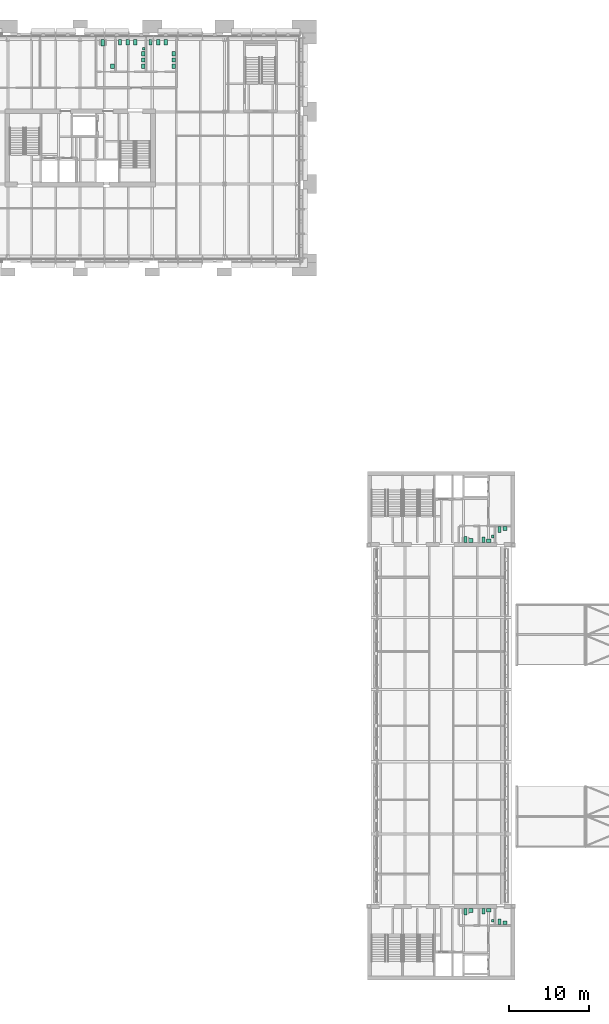
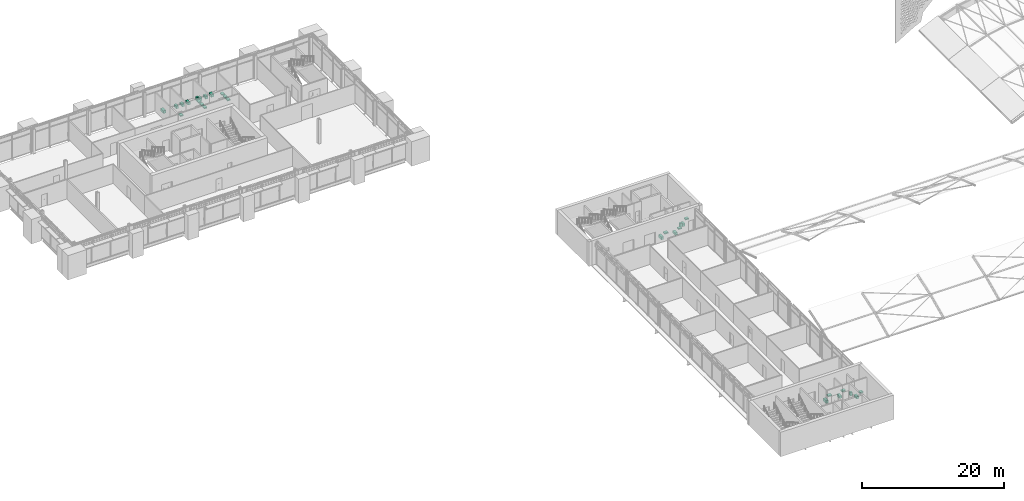
# One storey, part 54 of 54: 29 sanitary terminals.
"""IFC4 building model written with IfcOpenShell, lengths in metres."""

from ifc_helpers import new_model, si_unit, direction, frame, origin, origin_2d, place, context, subcontext, project, spatial, rectangle, extrude, material, type_object, element, save


model = new_model("IFC4")

# Units and contexts
model_context = context("Model", 3, precision=1e-05, world=origin(), true_north=direction((0.0, 1.0)))
body_context = subcontext(model_context, "Body", "Model", "MODEL_VIEW")
ifc_project = project(units=[si_unit("LENGTHUNIT", "METRE"), si_unit("AREAUNIT", "SQUARE_METRE"), si_unit("VOLUMEUNIT", "CUBIC_METRE"), si_unit("PLANEANGLEUNIT", "RADIAN"), si_unit("MASSUNIT", "GRAM", prefix="KILO")], contexts=[model_context])

# Site, building, storey
site_placement = place(None, origin())
site = spatial("IfcSite", under=ifc_project, at=site_placement, CompositionType="ELEMENT")
building_placement = place(site_placement, origin())
building = spatial("IfcBuilding", under=site, at=building_placement, Name="Baradari Gate Terminus", CompositionType="ELEMENT")
storey_placement = place(building_placement, frame((0.0, 0.0, 15.89990234375)))
storey = spatial("IfcBuildingStorey", under=building, at=storey_placement, Name="L03", CompositionType="ELEMENT", Elevation=15.89990234375)

# Sanitary terminals
ifc_material_1 = material(Name="Vitreous china", Category="ceramic")
sanitary_terminal_type_1 = type_object("IfcSanitaryTerminalType", Name="Accessible WC pan SW-5", PredefinedType="TOILETPAN", material=ifc_material_1)
for number, where, z_axis, x_axis, name in (
    (1, (38.83740234375, 143.60009765625, 0.0), (0.0, 0.0, 1.0), (1.0, 0.0, 0.0), "Accessible WC pan Accessible WC"),
    (2, (84.050048828125, 81.699951171875, 0.0), (0.0, 0.0, 1.0), (1.0, 0.0, 0.0), "Accessible WC pan Accessible WC"),
    (3, (84.050048828125, 35.300048828125, 0.0), (0.0, 0.0, 1.0), (1.0, 0.0, 0.0), "Accessible WC pan Accessible WC"),
):
    element("IfcSanitaryTerminal", number, at=place(storey_placement, frame(where, z_axis=z_axis, x_axis=x_axis)), inside=storey, type_object=sanitary_terminal_type_1, Name=name, PredefinedType="TOILETPAN", context=body_context, shape_type="SweptSolid", body=[
        extrude(rectangle(XDim=0.39990234375, YDim=0.800048828125, at=origin_2d()), origin(), (0.0, 0.0, 1.0), 0.47998046875),
    ])
ifc_material_2 = material(Name="Vitreous china", Category="ceramic")
sanitary_terminal_type_2 = type_object("IfcSanitaryTerminalType", Name="Accessible wash basin SW-6", PredefinedType="WASHHANDBASIN", material=ifc_material_2)
sanitary_terminal_placement = place(storey_placement, frame((40.0625, 140.6875, 0.75), z_axis=(0.0, 0.0, 1.0), x_axis=(1.0, 0.0, 0.0)))
element("IfcSanitaryTerminal", 4, at=sanitary_terminal_placement, inside=storey, type_object=sanitary_terminal_type_2, Name="Accessible wash basin Accessible WC", PredefinedType="WASHHANDBASIN", context=body_context, shape_type="SweptSolid", body=[
    extrude(rectangle(XDim=0.5, YDim=0.60009765625, at=origin_2d()), origin(), (0.0, 0.0, 1.0), 0.199951171875),
])
for number, where, z_axis, x_axis, name in (
    (5, (84.699951171875, 81.550048828125, 0.75), (0.0, 0.0, 1.0), (1.0, 0.0, 0.0), "Accessible wash basin Accessible WC"),
    (6, (84.699951171875, 35.449951171875, 0.75), (0.0, 0.0, 1.0), (1.0, 0.0, 0.0), "Accessible wash basin Accessible WC"),
):
    element("IfcSanitaryTerminal", number, at=place(storey_placement, frame(where, z_axis=z_axis, x_axis=x_axis)), inside=storey, type_object=sanitary_terminal_type_2, Name=name, PredefinedType="WASHHANDBASIN", context=body_context, shape_type="SweptSolid", body=[
        extrude(rectangle(XDim=0.60009765625, YDim=0.5, at=origin_2d()), origin(), (0.0, 0.0, 1.0), 0.199951171875),
    ])
ifc_material_3 = material(Name="Vitreous china", Category="ceramic")
sanitary_terminal_type_3 = type_object("IfcSanitaryTerminalType", Name="Urinal SW-3", PredefinedType="URINAL", material=ifc_material_3)
for number, where, z_axis, x_axis, name in (
    (7, (43.9375, 142.862548828125, 0.650146484375), (0.0, 0.0, 1.0), (1.0, 0.0, 0.0), "Urinal Male WC"),
    (8, (87.4375, 82.074951171875, 0.650146484375), (0.0, 0.0, 1.0), (1.0, 0.0, 0.0), "Urinal Male WC"),
    (9, (87.4375, 34.175048828125, 0.650146484375), (0.0, 0.0, 1.0), (1.0, 0.0, 0.0), "Urinal Male WC"),
):
    element("IfcSanitaryTerminal", number, at=place(storey_placement, frame(where, z_axis=z_axis, x_axis=x_axis)), inside=storey, type_object=sanitary_terminal_type_3, Name=name, PredefinedType="URINAL", context=body_context, shape_type="SweptSolid", body=[
        extrude(rectangle(XDim=0.35009765625, YDim=0.35009765625, at=origin_2d()), origin(), (0.0, 0.0, 1.0), 0.60009765625),
    ])
ifc_material_4 = material(Name="Vitreous china", Category="ceramic")
sanitary_terminal_type_4 = type_object("IfcSanitaryTerminalType", Name="WC pan SW-1", PredefinedType="TOILETPAN", material=ifc_material_4)
for number, where, z_axis, x_axis, name in (
    (10, (40.987548828125, 143.64990234375, 0.000244140625), (0.0, 0.0, 1.0), (1.0, 0.0, 0.0), "WC pan Male WC"),
    (11, (41.9375, 143.64990234375, 0.000244140625), (0.0, 0.0, 1.0), (1.0, 0.0, 0.0), "WC pan Male WC"),
    (12, (42.887451171875, 143.64990234375, 0.000244140625), (0.0, 0.0, 1.0), (1.0, 0.0, 0.0), "WC pan Male WC"),
    (13, (44.78759765625, 143.64990234375, 0.000244140625), (0.0, 0.0, 1.0), (1.0, 0.0, 0.0), "WC pan Female WC"),
    (14, (45.737548828125, 143.64990234375, 0.000244140625), (0.0, 0.0, 1.0), (1.0, 0.0, 0.0), "WC pan Female WC"),
    (15, (46.6875, 143.64990234375, 0.000244140625), (0.0, 0.0, 1.0), (1.0, 0.0, 0.0), "WC pan Female WC"),
    (16, (86.28759765625, 81.64990234375, 0.000244140625), (0.0, 0.0, 1.0), (1.0, 0.0, 0.0), "WC pan Male WC"),
    (17, (88.28759765625, 82.949951171875, 0.000244140625), (0.0, 0.0, 1.0), (1.0, 0.0, 0.0), "WC pan Female WC"),
    (18, (86.28759765625, 35.35009765625, 0.000244140625), (0.0, 0.0, 1.0), (1.0, 0.0, 0.0), "WC pan Male WC"),
    (19, (88.28759765625, 34.050048828125, 0.000244140625), (0.0, 0.0, 1.0), (1.0, 0.0, 0.0), "WC pan Female WC"),
):
    element("IfcSanitaryTerminal", number, at=place(storey_placement, frame(where, z_axis=z_axis, x_axis=x_axis)), inside=storey, type_object=sanitary_terminal_type_4, Name=name, PredefinedType="TOILETPAN", context=body_context, shape_type="SweptSolid", body=[
        extrude(rectangle(XDim=0.39990234375, YDim=0.699951171875, at=origin_2d()), origin(), (0.0, 0.0, 1.0), 0.419921875),
    ])
ifc_material_5 = material(Name="Vitreous china", Category="ceramic")
sanitary_terminal_type_5 = type_object("IfcSanitaryTerminalType", Name="Wash basin SW-2", PredefinedType="WASHHANDBASIN", material=ifc_material_5)
for number, where, z_axis, x_axis, name in (
    (20, (43.887451171875, 140.66259765625, 0.75), (0.0, 0.0, 1.0), (1.0, 0.0, 0.0), "Wash basin Male WC"),
    (21, (43.887451171875, 141.46240234375, 0.75), (0.0, 0.0, 1.0), (1.0, 0.0, 0.0), "Wash basin Male WC"),
    (22, (43.887451171875, 142.262451171875, 0.75), (0.0, 0.0, 1.0), (1.0, 0.0, 0.0), "Wash basin Male WC"),
    (23, (47.6875, 140.66259765625, 0.75), (0.0, 0.0, 1.0), (1.0, 0.0, 0.0), "Wash basin Female WC"),
    (24, (47.6875, 141.46240234375, 0.75), (0.0, 0.0, 1.0), (1.0, 0.0, 0.0), "Wash basin Female WC"),
    (25, (47.6875, 142.262451171875, 0.75), (0.0, 0.0, 1.0), (1.0, 0.0, 0.0), "Wash basin Female WC"),
):
    element("IfcSanitaryTerminal", number, at=place(storey_placement, frame(where, z_axis=z_axis, x_axis=x_axis)), inside=storey, type_object=sanitary_terminal_type_5, Name=name, PredefinedType="WASHHANDBASIN", context=body_context, shape_type="SweptSolid", body=[
        extrude(rectangle(XDim=0.449951171875, YDim=0.550048828125, at=origin_2d()), origin(), (0.0, 0.0, 1.0), 0.199951171875),
    ])
for number, where, z_axis, x_axis, name in (
    (26, (86.96240234375, 81.52490234375, 0.75), (0.0, 0.0, 1.0), (1.0, 0.0, 0.0), "Wash basin Male WC"),
    (27, (88.96240234375, 83.074951171875, 0.75), (0.0, 0.0, 1.0), (1.0, 0.0, 0.0), "Wash basin Female WC"),
    (28, (86.96240234375, 35.47509765625, 0.75), (0.0, 0.0, 1.0), (1.0, 0.0, 0.0), "Wash basin Male WC"),
    (29, (88.96240234375, 33.925048828125, 0.75), (0.0, 0.0, 1.0), (1.0, 0.0, 0.0), "Wash basin Female WC"),
):
    element("IfcSanitaryTerminal", number, at=place(storey_placement, frame(where, z_axis=z_axis, x_axis=x_axis)), inside=storey, type_object=sanitary_terminal_type_5, Name=name, PredefinedType="WASHHANDBASIN", context=body_context, shape_type="SweptSolid", body=[
        extrude(rectangle(XDim=0.550048828125, YDim=0.449951171875, at=origin_2d()), origin(), (0.0, 0.0, 1.0), 0.199951171875),
    ])

save(model, "model.ifc")
